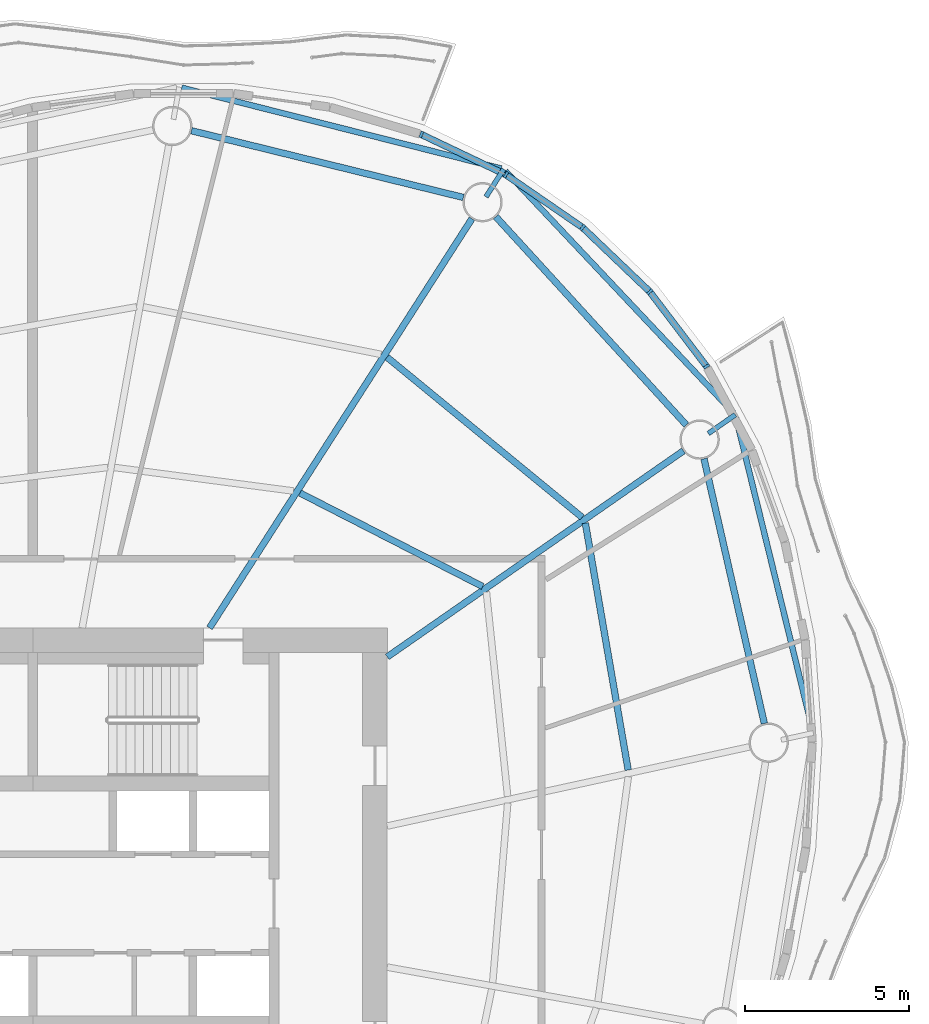
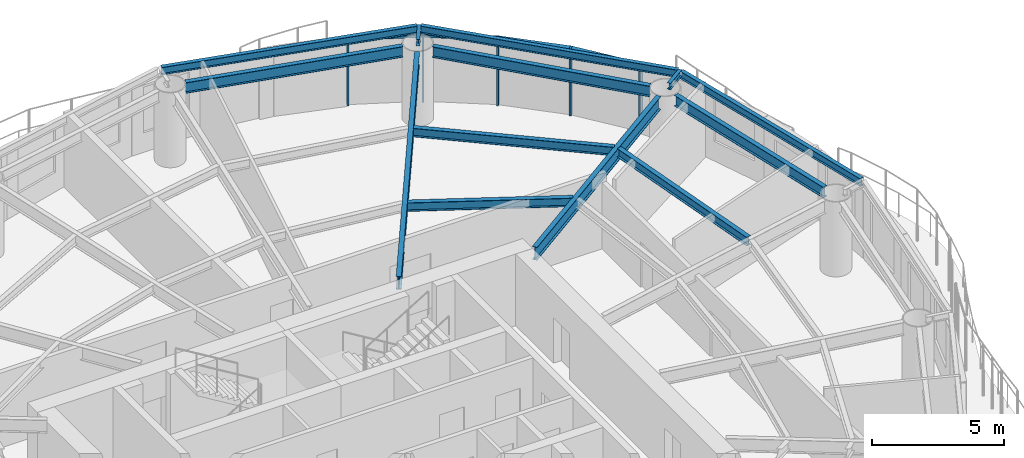
# One storey, part 6 of 14: 13 beams, 9 members, 4 elements without a shape of their own.
"""IFC4 building model written with IfcOpenShell, lengths in metres."""

from ifc_helpers import new_model, si_unit, direction, frame, origin, origin_2d, place, context, subcontext, project, spatial, rectangle, i_section, extrude, material, material_profile, profile_set, type_object, element, aggregate, save


model = new_model("IFC4")

# Units and contexts
model_context = context("Model", 3, precision=1e-05, world=origin(), true_north=direction((0.0, 1.0)))
body_context = subcontext(model_context, "Body", "Model", "MODEL_VIEW")
ifc_project = project(units=[si_unit("LENGTHUNIT", "METRE"), si_unit("AREAUNIT", "SQUARE_METRE"), si_unit("VOLUMEUNIT", "CUBIC_METRE"), si_unit("PLANEANGLEUNIT", "RADIAN"), si_unit("MASSUNIT", "GRAM", prefix="KILO")], contexts=[model_context])

# Site, building, storey
site_placement = place(None, origin())
site = spatial("IfcSite", under=ifc_project, at=site_placement, CompositionType="ELEMENT")
building_placement = place(site_placement, origin())
building = spatial("IfcBuilding", under=site, at=building_placement, Name="Vermilion Reach Broadcast Tower", CompositionType="ELEMENT")
storey_placement = place(building_placement, frame((0.0, 0.0, 235.300048828125)))
storey = spatial("IfcBuildingStorey", under=building, at=storey_placement, Name="L58", CompositionType="ELEMENT", Elevation=235.300048828125)

# Beams
ifc_material_1 = material(Name="Steel S355J2", Category="steel")
ifc_material_profile_1 = material_profile(ifc_material_1, i_section(OverallWidth=0.175048828125, OverallDepth=0.35009765625, WebThickness=0.007080078125, FlangeThickness=0.010986328125, at=origin_2d()), Name="S355J2 HN 350x175x7x11")
ifc_profile_set_1 = profile_set([ifc_material_profile_1], Name="Steel S355J2")
beam_type_1 = type_object("IfcBeamType", Name="EB4 HN 350x175x7x11", PredefinedType="BEAM", material=ifc_profile_set_1)
beam_1_placement = place(storey_placement, frame((8.272216796875, 22.395751953125, 3.27490234375), z_axis=(-0.96945369931, 0.245274386952, 0.0), x_axis=(-0.245274386952, -0.96945369931, 0.0)))
element("IfcBeam", 1, at=beam_1_placement, inside=storey, type_object=beam_type_1, Name="Edge beam EB4-01", PredefinedType="BEAM", context=body_context, shape_type="SweptSolid", body=[
    extrude(i_section(OverallWidth=0.175048828125, OverallDepth=0.35009765625, WebThickness=0.007080078125, FlangeThickness=0.010986328125, at=origin_2d()), origin(), (0.0, 0.0, 1.0), 10.04345703125),
])
beam_2_placement = place(storey_placement, frame((17.76416015625, 5.271240234375, 3.27490234375), z_axis=(-0.238213126567, 0.971212904739, 0.0), x_axis=(-0.971212904739, -0.238213126567, 0.0)))
element("IfcBeam", 2, at=beam_2_placement, inside=storey, type_object=beam_type_1, Name="Edge beam EB4-15", PredefinedType="BEAM", context=body_context, shape_type="SweptSolid", body=[
    extrude(i_section(OverallWidth=0.175048828125, OverallDepth=0.35009765625, WebThickness=0.007080078125, FlangeThickness=0.010986328125, at=origin_2d()), origin(), (0.0, 0.0, 1.0), 9.82666015625),
])
beam_3_placement = place(storey_placement, frame((15.35205078125, 14.947998046875, 3.27490234375), z_axis=(-0.685968767545, 0.727630984739, 0.0), x_axis=(-0.727630984739, -0.685968767545, 0.0)))
element("IfcBeam", 3, at=beam_3_placement, inside=storey, type_object=beam_type_1, Name="Edge beam EB4-16", PredefinedType="BEAM", context=body_context, shape_type="SweptSolid", body=[
    extrude(i_section(OverallWidth=0.175048828125, OverallDepth=0.35009765625, WebThickness=0.007080078125, FlangeThickness=0.010986328125, at=origin_2d()), origin(), (0.0, 0.0, 1.0), 10.1318359375),
])
ifc_material_2 = material(Name="Steel S355J2", Category="steel")
ifc_material_profile_2 = material_profile(ifc_material_2, i_section(OverallWidth=0.199951171875, OverallDepth=0.60009765625, WebThickness=0.010986328125, FlangeThickness=0.01708984375, at=origin_2d()), Name="S355J2 HN 600x200x11x17")
ifc_profile_set_2 = profile_set([ifc_material_profile_2], Name="Steel S355J2")
beam_type_2 = type_object("IfcBeamType", Name="G4 HN 600x200x11x17", PredefinedType="BEAM", material=ifc_profile_set_2)
beam_4_placement = place(storey_placement, frame((-0.613525390625, 8.39990234375, 3.14990234375), z_axis=(0.539796447586, 0.84179557802, 0.0), x_axis=(-0.84179557802, 0.539796447586, 0.0)))
element("IfcBeam", 4, at=beam_4_placement, inside=storey, type_object=beam_type_2, Name="Girder G4-01", PredefinedType="BEAM", context=body_context, shape_type="SweptSolid", body=[
    extrude(i_section(OverallWidth=0.199951171875, OverallDepth=0.60009765625, WebThickness=0.010986328125, FlangeThickness=0.01708984375, at=origin_2d()), origin(), (0.0, 0.0, 1.0), 14.8076171875),
])
beam_5_placement = place(storey_placement, frame((4.800048828125, 7.5146484375, 3.14990234375), z_axis=(0.820848627818, 0.571145804684, 0.0), x_axis=(-0.571145804684, 0.820848627818, 0.0)))
element("IfcBeam", 5, at=beam_5_placement, inside=storey, type_object=beam_type_2, Name="Girder G4-16", PredefinedType="BEAM", context=body_context, shape_type="SweptSolid", body=[
    extrude(i_section(OverallWidth=0.199951171875, OverallDepth=0.60009765625, WebThickness=0.010986328125, FlangeThickness=0.01708984375, at=origin_2d()), origin(), (0.0, 0.0, 1.0), 10.99560546875),
])
ifc_material_3 = material(Name="Steel S355J2", Category="steel")
ifc_material_profile_3 = material_profile(ifc_material_3, i_section(OverallWidth=0.14990234375, OverallDepth=0.300048828125, WebThickness=0.006591796875, FlangeThickness=0.009033203125, at=origin_2d()), Name="S355J2 HN 300x150x6.5x9")
ifc_profile_set_3 = profile_set([ifc_material_profile_3], Name="Steel S355J2")
beam_type_3 = type_object("IfcBeamType", Name="GS4 HN 300x150x6.5x9", PredefinedType="BEAM", material=ifc_profile_set_3)
for number, where, z_axis, x_axis, name in (
    (6, (7.80908203125, 21.53466796875, 3.300048828125), (0.539794777091, 0.841796649213, 0.0), (-0.841796649213, 0.539794777091, 0.0), "Cantilever stub GS4-01"),
    (7, (14.583251953125, 14.32177734375, 3.300048828125), (0.82095992961, 0.570985808908, 0.0), (-0.570985808908, 0.82095992961, 0.0), "Cantilever stub GS4-16"),
):
    element("IfcBeam", number, at=place(storey_placement, frame(where, z_axis=z_axis, x_axis=x_axis)), inside=storey, type_object=beam_type_3, Name=name, PredefinedType="BEAM", context=body_context, shape_type="SweptSolid", body=[
        extrude(i_section(OverallWidth=0.14990234375, OverallDepth=0.300048828125, WebThickness=0.006591796875, FlangeThickness=0.009033203125, at=origin_2d()), origin(), (0.0, 0.0, 1.0), 1.0),
    ])
ifc_material_4 = material(Name="Steel S355J2", Category="steel")
ifc_material_profile_4 = material_profile(ifc_material_4, i_section(OverallWidth=0.199951171875, OverallDepth=0.5, WebThickness=0.010009765625, FlangeThickness=0.01611328125, at=origin_2d()), Name="S355J2 HN 500x200x10x16")
ifc_profile_set_4 = profile_set([ifc_material_profile_4], Name="Steel S355J2")
beam_type_4 = type_object("IfcBeamType", Name="RB4 HN 500x200x10x16", PredefinedType="BEAM", material=ifc_profile_set_4)
beam_6_placement = place(storey_placement, frame((7.120849609375, 21.51318359375, 3.199951171875), z_axis=(-0.971158622271, 0.238434331398, 0.0), x_axis=(-0.238434331398, -0.971158622271, 0.0)))
element("IfcBeam", 8, at=beam_6_placement, inside=storey, type_object=beam_type_4, Name="Ring beam RB4-01", PredefinedType="BEAM", context=body_context, shape_type="SweptSolid", body=[
    extrude(i_section(OverallWidth=0.199951171875, OverallDepth=0.5, WebThickness=0.010009765625, FlangeThickness=0.01611328125, at=origin_2d()), origin(), (0.0, 0.0, 1.0), 8.534423828125),
])
beam_7_placement = place(storey_placement, frame((16.290283203125, 5.486572265625, 3.199951171875), z_axis=(-0.222283068275, 0.974982172944, 0.0), x_axis=(-0.974982172944, -0.222283068275, 0.0)))
element("IfcBeam", 9, at=beam_7_placement, inside=storey, type_object=beam_type_4, Name="Ring beam RB4-15", PredefinedType="BEAM", context=body_context, shape_type="SweptSolid", body=[
    extrude(i_section(OverallWidth=0.199951171875, OverallDepth=0.5, WebThickness=0.010009765625, FlangeThickness=0.01611328125, at=origin_2d()), origin(), (0.0, 0.0, 1.0), 8.272705078125),
])
beam_8_placement = place(storey_placement, frame((13.9130859375, 14.580078125, 3.199951171875), z_axis=(-0.674868141417, 0.737938338684, 0.0), x_axis=(-0.737938338684, -0.674868141417, 0.0)))
element("IfcBeam", 10, at=beam_8_placement, inside=storey, type_object=beam_type_4, Name="Ring beam RB4-16", PredefinedType="BEAM", context=body_context, shape_type="SweptSolid", body=[
    extrude(i_section(OverallWidth=0.199951171875, OverallDepth=0.5, WebThickness=0.010009765625, FlangeThickness=0.01611328125, at=origin_2d()), origin(), (0.0, 0.0, 1.0), 8.601318359375),
])
ifc_material_5 = material(Name="Steel S355J2", Category="steel")
ifc_material_profile_5 = material_profile(ifc_material_5, i_section(OverallWidth=0.199951171875, OverallDepth=0.39990234375, WebThickness=0.008056640625, FlangeThickness=0.012939453125, at=origin_2d()), Name="S355J2 HN 400x200x8x13")
ifc_profile_set_5 = profile_set([ifc_material_profile_5], Name="Steel S355J2")
beam_type_5 = type_object("IfcBeamType", Name="SB4 HN 400x200x8x13", PredefinedType="BEAM", material=ifc_profile_set_5)
beam_9_placement = place(storey_placement, frame((12.141357421875, 4.067626953125, 3.25), z_axis=(-0.170926997669, 0.985283695931, 0.0), x_axis=(-0.985283695931, -0.170926997669, 0.0)))
element("IfcBeam", 11, at=beam_9_placement, inside=storey, type_object=beam_type_5, Name="Secondary beam SB4-15-2", PredefinedType="BEAM", context=body_context, shape_type="SweptSolid", body=[
    extrude(i_section(OverallWidth=0.199951171875, OverallDepth=0.39990234375, WebThickness=0.008056640625, FlangeThickness=0.012939453125, at=origin_2d()), origin(), (0.0, 0.0, 1.0), 7.63720703125),
])
beam_10_placement = place(storey_placement, frame((7.707763671875, 9.659423828125, 3.25), z_axis=(-0.89015575218, 0.455656380249, 0.0), x_axis=(-0.455656380249, -0.89015575218, 0.0)))
element("IfcBeam", 12, at=beam_10_placement, inside=storey, type_object=beam_type_5, Name="Secondary beam SB4-16-1", PredefinedType="BEAM", context=body_context, shape_type="SweptSolid", body=[
    extrude(i_section(OverallWidth=0.199951171875, OverallDepth=0.39990234375, WebThickness=0.008056640625, FlangeThickness=0.012939453125, at=origin_2d()), origin(), (0.0, 0.0, 1.0), 6.25439453125),
])
beam_11_placement = place(storey_placement, frame((10.73681640625, 11.76708984375, 3.25), z_axis=(-0.772952000494, 0.6344645025, 0.0), x_axis=(-0.6344645025, -0.772952000494, 0.0)))
element("IfcBeam", 13, at=beam_11_placement, inside=storey, type_object=beam_type_5, Name="Secondary beam SB4-16-2", PredefinedType="BEAM", context=body_context, shape_type="SweptSolid", body=[
    extrude(i_section(OverallWidth=0.199951171875, OverallDepth=0.39990234375, WebThickness=0.008056640625, FlangeThickness=0.012939453125, at=origin_2d()), origin(), (0.0, 0.0, 1.0), 7.689697265625),
])

# Curtain wall, member
ifc_material_6 = material(Name="Low-e laminated clear glass in aluminium frame", Category="aluminium")
curtain_wall_type = type_object("IfcCurtainWallType", Name="Slot curtain wall", PredefinedType="NOTDEFINED", material=ifc_material_6)
placement = place(storey_placement, origin())
curtain_wall_1 = element("IfcCurtainWall", 14, at=placement, inside=storey, type_object=curtain_wall_type, Name="Slot curtain wall L58 46", PredefinedType="NOTDEFINED")
ifc_material_7 = material(Name="Anodised aluminium", Category="aluminium")
ifc_material_profile_6 = material_profile(ifc_material_7, rectangle(XDim=0.199951171875, YDim=0.080078125, at=origin_2d()), Name="Slot mullion 80 x 200")
ifc_profile_set_6 = profile_set([ifc_material_profile_6], Name="Anodised aluminium")
member_type_1 = type_object("IfcMemberType", Name="Slot mullion 80 x 200", PredefinedType="MULLION", material=ifc_profile_set_6)
member_1_placement = place(storey_placement, frame((14.529052734375, 16.365478515625, 0.0), z_axis=(0.0, 0.0, 1.0), x_axis=(-0.840504812157, -0.541804079664, 0.0)))
member_1 = element("IfcMember", 15, at=member_1_placement, type_object=member_type_1, Name="Slot mullion L58 46", PredefinedType="MULLION", context=body_context, shape_type="SweptSolid", body=[
    extrude(rectangle(XDim=0.199951171875, YDim=0.080078125, at=origin_2d()), origin(), (0.0, 0.0, 1.0), 3.099853515625),
])

curtain_wall_2 = element("IfcCurtainWall", 16, at=placement, inside=storey, type_object=curtain_wall_type, Name="Slot curtain wall L58 47", PredefinedType="NOTDEFINED")
member_2_placement = place(storey_placement, frame((12.7998046875, 18.640625, 0.0), z_axis=(0.0, 0.0, 1.0), x_axis=(-0.745812044366, -0.666156433939, 0.0)))
member_2 = element("IfcMember", 17, at=member_2_placement, type_object=member_type_1, Name="Slot mullion L58 47", PredefinedType="MULLION", context=body_context, shape_type="SweptSolid", body=[
    extrude(rectangle(XDim=0.199951171875, YDim=0.080078125, at=origin_2d()), origin(), (0.0, 0.0, 1.0), 3.099853515625),
])

curtain_wall_3 = element("IfcCurtainWall", 18, at=placement, inside=storey, type_object=curtain_wall_type, Name="Slot curtain wall L58 00", PredefinedType="NOTDEFINED")
member_3_placement = place(storey_placement, frame((10.751220703125, 20.59765625, 0.0), z_axis=(0.0, 0.0, 1.0), x_axis=(-0.630946564907, -0.775826289985, 0.0)))
member_3 = element("IfcMember", 19, at=member_3_placement, type_object=member_type_1, Name="Slot mullion L58 00", PredefinedType="MULLION", context=body_context, shape_type="SweptSolid", body=[
    extrude(rectangle(XDim=0.199951171875, YDim=0.080078125, at=origin_2d()), origin(), (0.0, 0.0, 1.0), 3.099853515625),
])

# Curtain wall, members
curtain_wall_4 = element("IfcCurtainWall", 20, at=placement, inside=storey, type_object=curtain_wall_type, Name="Slot curtain wall L58 01", PredefinedType="NOTDEFINED")
member_4_placement = place(storey_placement, frame((8.417724609375, 22.204345703125, 0.0), z_axis=(0.0, 0.0, 1.0), x_axis=(-0.500167776548, -0.865928516278, 0.0)))
member_4 = element("IfcMember", 21, at=member_4_placement, type_object=member_type_1, Name="Slot mullion L58 01", PredefinedType="MULLION", context=body_context, shape_type="SweptSolid", body=[
    extrude(rectangle(XDim=0.199951171875, YDim=0.080078125, at=origin_2d()), origin(), (0.0, 0.0, 1.0), 3.099853515625),
])
member_5_placement = place(storey_placement, frame((5.837890625, 23.43359375, 0.0), z_axis=(0.0, 0.0, 1.0), x_axis=(-0.359126089255, -0.933289050625, 0.0)))
member_5 = element("IfcMember", 22, at=member_5_placement, type_object=member_type_1, Name="Slot mullion L58 02", PredefinedType="MULLION", context=body_context, shape_type="SweptSolid", body=[
    extrude(rectangle(XDim=0.199951171875, YDim=0.080078125, at=origin_2d()), origin(), (0.0, 0.0, 1.0), 3.099853515625),
])

# Member
ifc_material_8 = material(Name="Anodised aluminium", Category="aluminium")
ifc_material_profile_7 = material_profile(ifc_material_8, rectangle(XDim=0.199951171875, YDim=0.10009765625, at=origin_2d()), Name="Slot transom 200 x 100")
ifc_profile_set_7 = profile_set([ifc_material_profile_7], Name="Anodised aluminium")
member_type_2 = type_object("IfcMemberType", Name="Slot transom 200 x 100", PredefinedType="USERDEFINED", material=ifc_profile_set_7)
member_6_placement = place(storey_placement, frame((14.5048828125, 16.397216796875, 3.050048828125), z_axis=(-0.605134521596, 0.796123238433, 0.0), x_axis=(-0.796123238433, -0.605134521596, 0.0)))
member_6 = element("IfcMember", 23, at=member_6_placement, type_object=member_type_2, Name="Slot transom L58 46.1", ObjectType="TRANSOM", PredefinedType="USERDEFINED", context=body_context, shape_type="SweptSolid", body=[
    extrude(rectangle(XDim=0.199951171875, YDim=0.10009765625, at=origin_2d()), origin(), (0.0, 0.0, 1.0), 2.77783203125),
])

aggregate(curtain_wall_1, [member_1, member_6])

member_7_placement = place(storey_placement, frame((12.77099609375, 18.668212890625, 3.050048828125), z_axis=(-0.723061554651, 0.690783604456, 0.0), x_axis=(-0.690783604456, -0.723061554651, 0.0)))
member_7 = element("IfcMember", 24, at=member_7_placement, type_object=member_type_2, Name="Slot transom L58 47.1", ObjectType="TRANSOM", PredefinedType="USERDEFINED", context=body_context, shape_type="SweptSolid", body=[
    extrude(rectangle(XDim=0.199951171875, YDim=0.10009765625, at=origin_2d()), origin(), (0.0, 0.0, 1.0), 2.753173828125),
])

aggregate(curtain_wall_2, [member_2, member_7])

member_8_placement = place(storey_placement, frame((10.71826171875, 20.620361328125, 3.050048828125), z_axis=(-0.823648434104, 0.56710074678, 0.0), x_axis=(-0.56710074678, -0.823648434104, 0.0)))
member_8 = element("IfcMember", 25, at=member_8_placement, type_object=member_type_2, Name="Slot transom L58 00.1", ObjectType="TRANSOM", PredefinedType="USERDEFINED", context=body_context, shape_type="SweptSolid", body=[
    extrude(rectangle(XDim=0.199951171875, YDim=0.10009765625, at=origin_2d()), origin(), (0.0, 0.0, 1.0), 2.753173828125),
])

aggregate(curtain_wall_3, [member_3, member_8])

member_9_placement = place(storey_placement, frame((8.381591796875, 22.2216796875, 3.050048828125), z_axis=(-0.902790644181, 0.430080286435, 0.0), x_axis=(-0.430080286435, -0.902790644181, 0.0)))
member_9 = element("IfcMember", 26, at=member_9_placement, type_object=member_type_2, Name="Slot transom L58 01.1", ObjectType="TRANSOM", PredefinedType="USERDEFINED", context=body_context, shape_type="SweptSolid", body=[
    extrude(rectangle(XDim=0.199951171875, YDim=0.10009765625, at=origin_2d()), origin(), (0.0, 0.0, 1.0), 2.777587890625),
])

aggregate(curtain_wall_4, [member_4, member_5, member_9])

save(model, "model.ifc")
